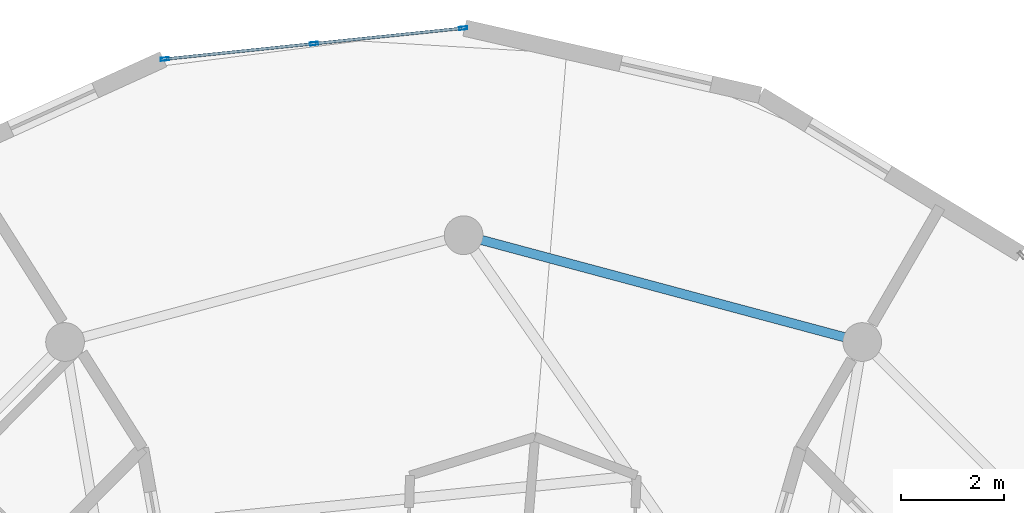
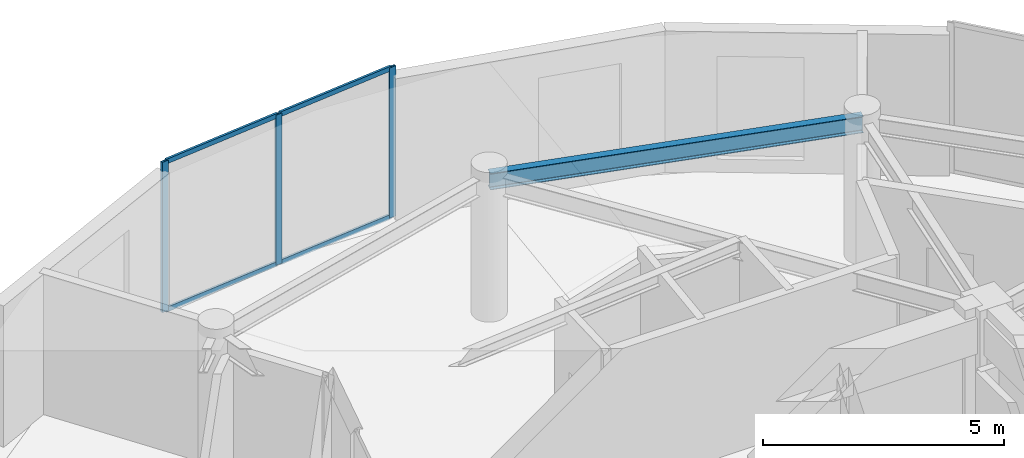
# One storey, part 14 of 22: 7 members, 1 beam, 1 element without a shape of its own.
"""IFC4 building model written with IfcOpenShell, lengths in metres."""

from ifc_helpers import new_model, si_unit, direction, frame, origin, origin_2d, place, context, subcontext, project, spatial, hollow_rectangle, i_section, extrude, source, transform, mapped, material, layer, layer_set, material_profile, profile_set, type_object, element, aggregate, save


model = new_model("IFC4")

# Units and contexts
model_context = context("Model", 3, precision=1e-05, world=origin(), true_north=direction((0.0, 1.0)))
body_context = subcontext(model_context, "Body", "Model", "MODEL_VIEW")
ifc_project = project(units=[si_unit("LENGTHUNIT", "METRE"), si_unit("AREAUNIT", "SQUARE_METRE"), si_unit("VOLUMEUNIT", "CUBIC_METRE"), si_unit("PLANEANGLEUNIT", "RADIAN"), si_unit("MASSUNIT", "GRAM", prefix="KILO")], contexts=[model_context])

# Site, building, storey
site_placement = place(None, origin())
site = spatial("IfcSite", under=ifc_project, at=site_placement, CompositionType="ELEMENT")
building_placement = place(site_placement, origin())
building = spatial("IfcBuilding", under=site, at=building_placement, Name="Solvirekh Grand Hotel", CompositionType="ELEMENT")
storey_placement = place(building_placement, frame((0.0, 0.0, 289.60009765625)))
storey = spatial("IfcBuildingStorey", under=building, at=storey_placement, Name="L75", CompositionType="ELEMENT", Elevation=289.60009765625)

# Beam
ifc_material_1 = material(Name="Steel S355", Category="steel")
ifc_material_profile_1 = material_profile(ifc_material_1, i_section(OverallWidth=0.180908203125, OverallDepth=0.4169921875, WebThickness=0.010009765625, FlangeThickness=0.01611328125, FilletRadius=0.011962890625, at=origin_2d()), Name="W410X85")
ifc_profile_set_1 = profile_set([ifc_material_profile_1], Name="Steel S355")
beam_type = type_object("IfcBeamType", Name="Spandrel_Ring_W410", PredefinedType="SPANDREL", material=ifc_profile_set_1)
beam_placement = place(storey_placement, frame((7.72509765625, 13.3798828125, 3.36181640625), z_axis=(-0.965921616143, 0.258834757072, 0.0), x_axis=(-0.258834757072, -0.965921616143, 0.0)))
element("IfcBeam", 1, at=beam_placement, inside=storey, type_object=beam_type, Name="L75 perimeter spandrel beam 3", PredefinedType="SPANDREL", context=body_context, shape_type="SweptSolid", body=[
    extrude(i_section(OverallWidth=0.180908203125, OverallDepth=0.4169921875, WebThickness=0.010009765625, FlangeThickness=0.01611328125, FilletRadius=0.011962890625, at=origin_2d()), origin(), (0.0, 0.0, 1.0), 7.99755859375),
])

# Curtain wall, members
ifc_material_2 = material(Name="Anodized Bronze Aluminium 6063-T6", Category="aluminium")
ifc_layer = layer(ifc_material_2, 0.159912109375)
ifc_layer_set = layer_set([ifc_layer], Name="Anodized Bronze Aluminium 6063-T6")
curtain_wall_type = type_object("IfcCurtainWallType", Name="CW_Sys4_HighZoneFlushBronzeCW", PredefinedType="NOTDEFINED", material=ifc_layer_set)
curtain_wall_placement = place(storey_placement, origin())
curtain_wall = element("IfcCurtainWall", 2, at=curtain_wall_placement, inside=storey, type_object=curtain_wall_type, Name="L75 unitised bronze-glass curtain wall CW-L75-C11", PredefinedType="NOTDEFINED")
ifc_material_profile_2 = material_profile(ifc_material_2, hollow_rectangle(XDim=0.054931640625, YDim=0.1201171875, WallThickness=0.00390625, at=origin_2d()), Name="ALU RHS 120X55X4")
ifc_profile_set_2 = profile_set([ifc_material_profile_2], Name="Anodized Bronze Aluminium 6063-T6")
member_type_1 = type_object("IfcMemberType", Name="CWTransom_Sys4", PredefinedType="USERDEFINED", material=ifc_profile_set_2)
shared_shape_1 = source(origin(), body_context, "Body", "SweptSolid", [
    extrude(hollow_rectangle(XDim=0.054931640625, YDim=0.1201171875, WallThickness=0.00390625, at=origin_2d()), origin(), (0.0, 0.0, 1.0), 2.845947265625),
])
member_1_placement = place(storey_placement, frame((-0.039794921875, 19.458740234375, 0.02734375), z_axis=(-0.994678463566, -0.103027928826, 0.0), x_axis=(0.103027928826, -0.994678463566, 0.0)))
member_1 = element("IfcMember", 3, at=member_1_placement, type_object=member_type_1, Name="U04 transom 1.1", ObjectType="TRANSOM", PredefinedType="USERDEFINED", context=body_context, shape_type="MappedRepresentation", body=[
    mapped(shared_shape_1, transform((0.0, 0.0, 0.0), x_axis=(1.0, 0.0, 0.0), y_axis=(0.0, 1.0, 0.0), z_axis=(0.0, 0.0, 1.0), scale=1.0)),
])
member_2_placement = place(storey_placement, frame((-0.039794921875, 19.458740234375, 3.7724609375), z_axis=(-0.994678463566, -0.103027928826, 0.0), x_axis=(0.103027928826, -0.994678463566, 0.0)))
member_2 = element("IfcMember", 4, at=member_2_placement, type_object=member_type_1, Name="U04 transom 1.2", ObjectType="TRANSOM", PredefinedType="USERDEFINED", context=body_context, shape_type="MappedRepresentation", body=[
    mapped(shared_shape_1, transform((0.0, 0.0, 0.0), x_axis=(1.0, 0.0, 0.0), y_axis=(0.0, 1.0, 0.0), z_axis=(0.0, 0.0, 1.0), scale=1.0)),
])
member_3_placement = place(storey_placement, frame((-2.930419921875, 19.159423828125, 0.02734375), z_axis=(-0.994678463566, -0.103027928826, 0.0), x_axis=(0.103027928826, -0.994678463566, 0.0)))
member_3 = element("IfcMember", 5, at=member_3_placement, type_object=member_type_1, Name="U04 transom 2.1", ObjectType="TRANSOM", PredefinedType="USERDEFINED", context=body_context, shape_type="MappedRepresentation", body=[
    mapped(shared_shape_1, transform((0.0, 0.0, 0.0), x_axis=(1.0, 0.0, 0.0), y_axis=(0.0, 1.0, 0.0), z_axis=(0.0, 0.0, 1.0), scale=1.0)),
])
member_4_placement = place(storey_placement, frame((-2.930419921875, 19.159423828125, 3.7724609375), z_axis=(-0.994678463566, -0.103027928826, 0.0), x_axis=(0.103027928826, -0.994678463566, 0.0)))
member_4 = element("IfcMember", 6, at=member_4_placement, type_object=member_type_1, Name="U04 transom 2.2", ObjectType="TRANSOM", PredefinedType="USERDEFINED", context=body_context, shape_type="MappedRepresentation", body=[
    mapped(shared_shape_1, transform((0.0, 0.0, 0.0), x_axis=(1.0, 0.0, 0.0), y_axis=(0.0, 1.0, 0.0), z_axis=(0.0, 0.0, 1.0), scale=1.0)),
])
ifc_material_profile_3 = material_profile(ifc_material_2, hollow_rectangle(XDim=0.06005859375, YDim=0.159912109375, WallThickness=0.0048828125, at=origin_2d()), Name="ALU RHS 160X60X5")
ifc_profile_set_3 = profile_set([ifc_material_profile_3], Name="Anodized Bronze Aluminium 6063-T6")
member_type_2 = type_object("IfcMemberType", Name="CWMullion_Sys4", PredefinedType="MULLION", material=ifc_profile_set_3)
shared_shape_2 = source(origin(), body_context, "Body", "SweptSolid", [
    extrude(hollow_rectangle(XDim=0.06005859375, YDim=0.159912109375, WallThickness=0.0048828125, at=origin_2d()), origin(), (0.0, 0.0, 1.0), 3.7998046875),
])
member_5_placement = place(storey_placement, frame((-0.009765625, 19.4619140625, 0.0), z_axis=(0.0, 0.0, 1.0), x_axis=(0.10302696979, -0.994678562902, 0.0)))
member_5 = element("IfcMember", 7, at=member_5_placement, type_object=member_type_2, Name="U04 mullion 1", PredefinedType="MULLION", context=body_context, shape_type="MappedRepresentation", body=[
    mapped(shared_shape_2, transform((0.0, 0.0, 0.0), x_axis=(1.0, 0.0, 0.0), y_axis=(0.0, 1.0, 0.0), z_axis=(0.0, 0.0, 1.0), scale=1.0)),
])
member_6_placement = place(storey_placement, frame((-2.900390625, 19.16259765625, 0.0), z_axis=(0.0, 0.0, 1.0), x_axis=(0.10302696979, -0.994678562902, 0.0)))
member_6 = element("IfcMember", 8, at=member_6_placement, type_object=member_type_2, Name="U04 mullion 2", PredefinedType="MULLION", context=body_context, shape_type="MappedRepresentation", body=[
    mapped(shared_shape_2, transform((0.0, 0.0, 0.0), x_axis=(1.0, 0.0, 0.0), y_axis=(0.0, 1.0, 0.0), z_axis=(0.0, 0.0, 1.0), scale=1.0)),
])
member_7_placement = place(storey_placement, frame((-5.791259765625, 18.863037109375, 0.0), z_axis=(0.0, 0.0, 1.0), x_axis=(0.10302696979, -0.994678562902, 0.0)))
member_7 = element("IfcMember", 9, at=member_7_placement, type_object=member_type_2, Name="U04 mullion 3", PredefinedType="MULLION", context=body_context, shape_type="MappedRepresentation", body=[
    mapped(shared_shape_2, transform((0.0, 0.0, 0.0), x_axis=(1.0, 0.0, 0.0), y_axis=(0.0, 1.0, 0.0), z_axis=(0.0, 0.0, 1.0), scale=1.0)),
])
aggregate(curtain_wall, [member_5, member_6, member_7, member_1, member_2, member_3, member_4])

save(model, "model.ifc")
